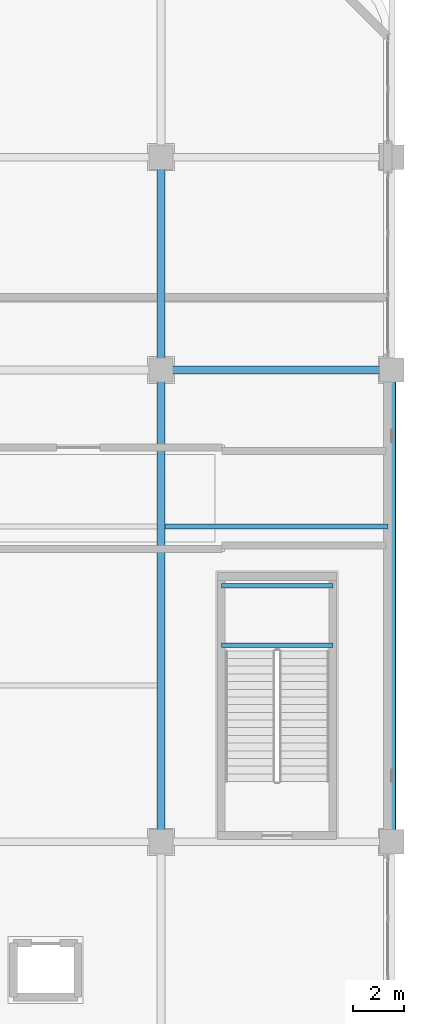
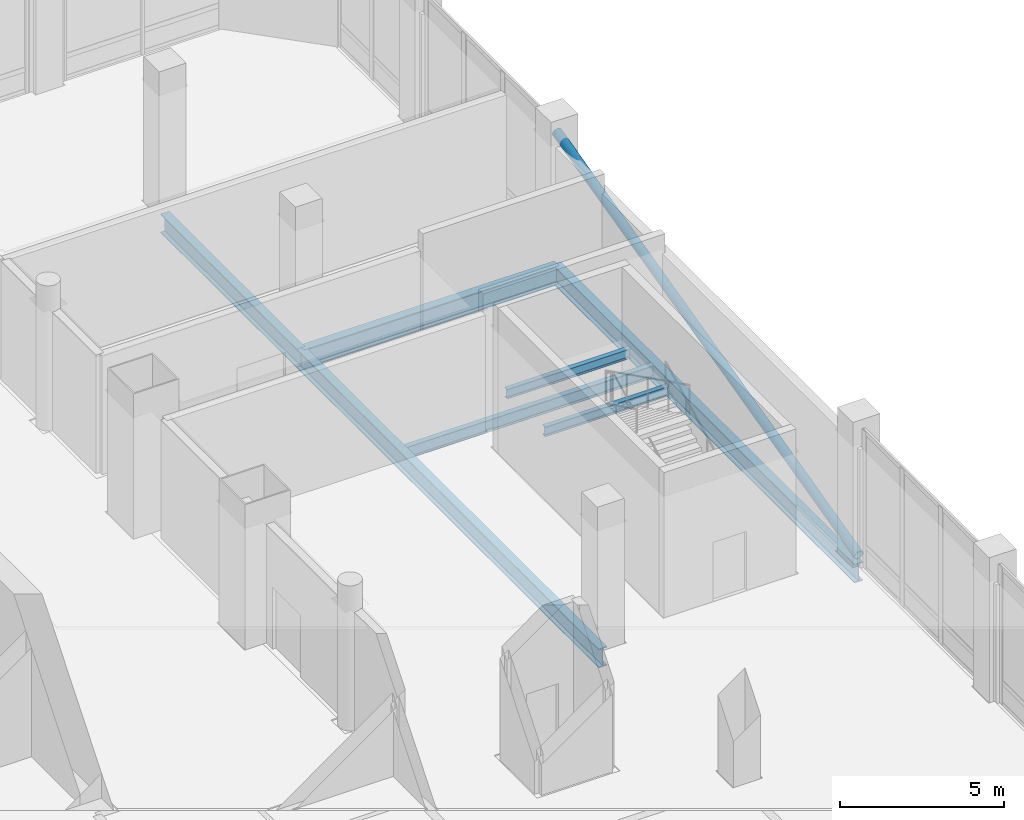
# One storey, part 20 of 39: 7 beams, 1 member.
"""IFC4 building model written with IfcOpenShell, lengths in metres."""

from ifc_helpers import new_model, si_unit, direction, frame, origin, origin_2d, place, context, subcontext, project, spatial, hollow_circle, i_section, extrude, material, material_profile, profile_set, type_object, element, save


model = new_model("IFC4")

# Units and contexts
model_context = context("Model", 3, precision=1e-05, world=origin(), true_north=direction((0.0, 1.0)))
body_context = subcontext(model_context, "Body", "Model", "MODEL_VIEW")
ifc_project = project(units=[si_unit("LENGTHUNIT", "METRE"), si_unit("AREAUNIT", "SQUARE_METRE"), si_unit("VOLUMEUNIT", "CUBIC_METRE"), si_unit("PLANEANGLEUNIT", "RADIAN"), si_unit("MASSUNIT", "GRAM", prefix="KILO")], contexts=[model_context])

# Site, building, storey
site_placement = place(None, origin())
site = spatial("IfcSite", under=ifc_project, at=site_placement, CompositionType="ELEMENT")
building_placement = place(site_placement, origin())
building = spatial("IfcBuilding", under=site, at=building_placement, Name="Punatoya Terracotta Tower", CompositionType="ELEMENT")
storey_placement = place(building_placement, frame((0.0, 0.0, 11.39990234375)))
storey = spatial("IfcBuildingStorey", under=building, at=storey_placement, Name="L02", CompositionType="ELEMENT", Elevation=11.39990234375)

# Beams
ifc_material = material(Name="Steel S355", Category="steel")
ifc_material_profile_1 = material_profile(ifc_material, i_section(OverallWidth=0.300048828125, OverallDepth=0.699951171875, WebThickness=0.01708984375, FlangeThickness=0.031982421875, FilletRadius=0.01806640625, at=origin_2d()))
ifc_profile_set_1 = profile_set([ifc_material_profile_1], Name="Steel S355")
beam_type_1 = type_object("IfcBeamType", Name="BM-PRI-700", PredefinedType="BEAM", material=ifc_profile_set_1)
beam_1_placement = place(storey_placement, frame((28.0, 9.199951171875, -0.6298828125), z_axis=(1.0, 0.0, 0.0), x_axis=(0.0, 1.0, 0.0)))
element("IfcBeam", 1, at=beam_1_placement, inside=storey, type_object=beam_type_1, Name="BM-L02-FE2", PredefinedType="BEAM", context=body_context, shape_type="SweptSolid", body=[
    extrude(i_section(OverallWidth=0.300048828125, OverallDepth=0.699951171875, WebThickness=0.01708984375, FlangeThickness=0.031982421875, FilletRadius=0.01806640625, at=origin_2d()), origin(), (0.0, 0.0, 1.0), 9.0),
])
beam_2_placement = place(storey_placement, frame((28.0, -9.199951171875, -0.6298828125), z_axis=(0.0, 1.0, 0.0), x_axis=(-1.0, 0.0, 0.0)))
element("IfcBeam", 2, at=beam_2_placement, inside=storey, type_object=beam_type_1, Name="BM-L02-X28E--9", PredefinedType="BEAM", context=body_context, shape_type="SweptSolid", body=[
    extrude(i_section(OverallWidth=0.300048828125, OverallDepth=0.699951171875, WebThickness=0.01708984375, FlangeThickness=0.031982421875, FilletRadius=0.01806640625, at=origin_2d()), origin(), (0.0, 0.0, 1.0), 18.39990234375),
])
beam_3_placement = place(storey_placement, frame((28.0, 9.199951171875, -0.6298828125), z_axis=(0.0, 1.0, 0.0), x_axis=(-1.0, 0.0, 0.0)))
element("IfcBeam", 3, at=beam_3_placement, inside=storey, type_object=beam_type_1, Name="BM-L02-X28E-9", PredefinedType="BEAM", context=body_context, shape_type="SweptSolid", body=[
    extrude(i_section(OverallWidth=0.300048828125, OverallDepth=0.699951171875, WebThickness=0.01708984375, FlangeThickness=0.031982421875, FilletRadius=0.01806640625, at=origin_2d()), origin(), (0.0, 0.0, 1.0), 8.300048828125),
])
beam_4_placement = place(storey_placement, frame((37.0, -9.199951171875, -0.6298828125), z_axis=(0.0, 1.0, 0.0), x_axis=(-1.0, 0.0, 0.0)))
element("IfcBeam", 4, at=beam_4_placement, inside=storey, type_object=beam_type_1, Name="BM-L02-X37E--9", PredefinedType="BEAM", context=body_context, shape_type="SweptSolid", body=[
    extrude(i_section(OverallWidth=0.300048828125, OverallDepth=0.699951171875, WebThickness=0.01708984375, FlangeThickness=0.031982421875, FilletRadius=0.01806640625, at=origin_2d()), origin(), (0.0, 0.0, 1.0), 18.39990234375),
])
ifc_material_profile_2 = material_profile(ifc_material, i_section(OverallWidth=0.169921875, OverallDepth=0.360107421875, WebThickness=0.008056640625, FlangeThickness=0.0126953125, FilletRadius=0.01806640625, at=origin_2d()))
ifc_profile_set_2 = profile_set([ifc_material_profile_2], Name="Steel S355")
beam_type_2 = type_object("IfcBeamType", Name="BM-SEC-360", PredefinedType="JOIST", material=ifc_profile_set_2)
for number, where, z_axis, x_axis, name in (
    (5, (30.35009765625, -1.530029296875, 2.320068359375), (1.0, 0.0, 0.0), (0.0, 1.0, 0.0), "BM-L02-ST-P2-LD1A"),
    (6, (30.35009765625, 0.780029296875, 2.320068359375), (1.0, 0.0, 0.0), (0.0, 1.0, 0.0), "BM-L02-ST-P2-LD1B"),
):
    element("IfcBeam", number, at=place(storey_placement, frame(where, z_axis=z_axis, x_axis=x_axis)), inside=storey, type_object=beam_type_2, Name=name, PredefinedType="JOIST", context=body_context, shape_type="SweptSolid", body=[
        extrude(i_section(OverallWidth=0.169921875, OverallDepth=0.360107421875, WebThickness=0.008056640625, FlangeThickness=0.0126953125, FilletRadius=0.01806640625, at=origin_2d()), origin(), (0.0, 0.0, 1.0), 4.349853515625),
    ])
ifc_material_profile_3 = material_profile(ifc_material, i_section(OverallWidth=0.18994140625, OverallDepth=0.449951171875, WebThickness=0.009521484375, FlangeThickness=0.0146484375, FilletRadius=0.01806640625, at=origin_2d()))
ifc_profile_set_3 = profile_set([ifc_material_profile_3], Name="Steel S355")
beam_type_3 = type_object("IfcBeamType", Name="BM-SEC-450", PredefinedType="JOIST", material=ifc_profile_set_3)
beam_5_placement = place(storey_placement, frame((28.14990234375, 3.10009765625, -0.5048828125), z_axis=(1.0, 0.0, 0.0), x_axis=(0.0, 1.0, 0.0)))
element("IfcBeam", 7, at=beam_5_placement, inside=storey, type_object=beam_type_3, Name="BM-L02-WNGJ-E2-31", PredefinedType="JOIST", context=body_context, shape_type="SweptSolid", body=[
    extrude(i_section(OverallWidth=0.18994140625, OverallDepth=0.449951171875, WebThickness=0.009521484375, FlangeThickness=0.0146484375, FilletRadius=0.01806640625, at=origin_2d()), origin(), (0.0, 0.0, 1.0), 8.7001953125),
])

# Member
ifc_material_profile_4 = material_profile(ifc_material, hollow_circle(Radius=0.162109375, WallThickness=0.01611328125, at=origin_2d()))
ifc_profile_set_4 = profile_set([ifc_material_profile_4], Name="Steel S355")
member_type = type_object("IfcMemberType", Name="MEM-POD-CHS", PredefinedType="BRACE", material=ifc_profile_set_4)
member_placement = place(storey_placement, frame((37.0, -9.199951171875, 0.02001953125), z_axis=(0.0, 0.970388907621, 0.241547858543), x_axis=(-1.0, 0.0, 0.0)))
element("IfcMember", 8, at=member_placement, inside=storey, type_object=member_type, Name="L02 Podium Lateral Brace PBR-2", PredefinedType="BRACE", context=body_context, shape_type="SweptSolid", body=[
    extrude(hollow_circle(Radius=0.162109375, WallThickness=0.01611328125, at=origin_2d()), origin(), (0.0, 0.0, 1.0), 18.96142578125),
])

save(model, "model.ifc")
